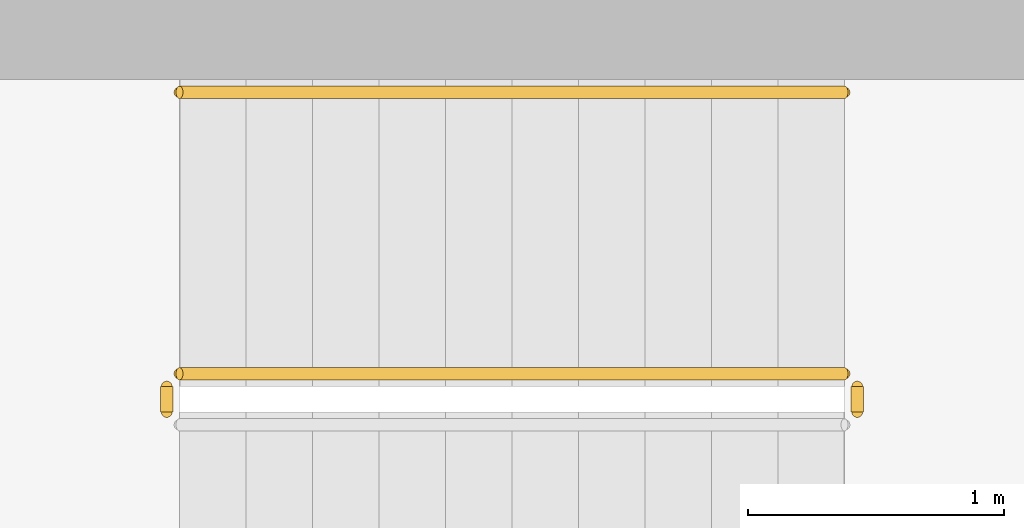
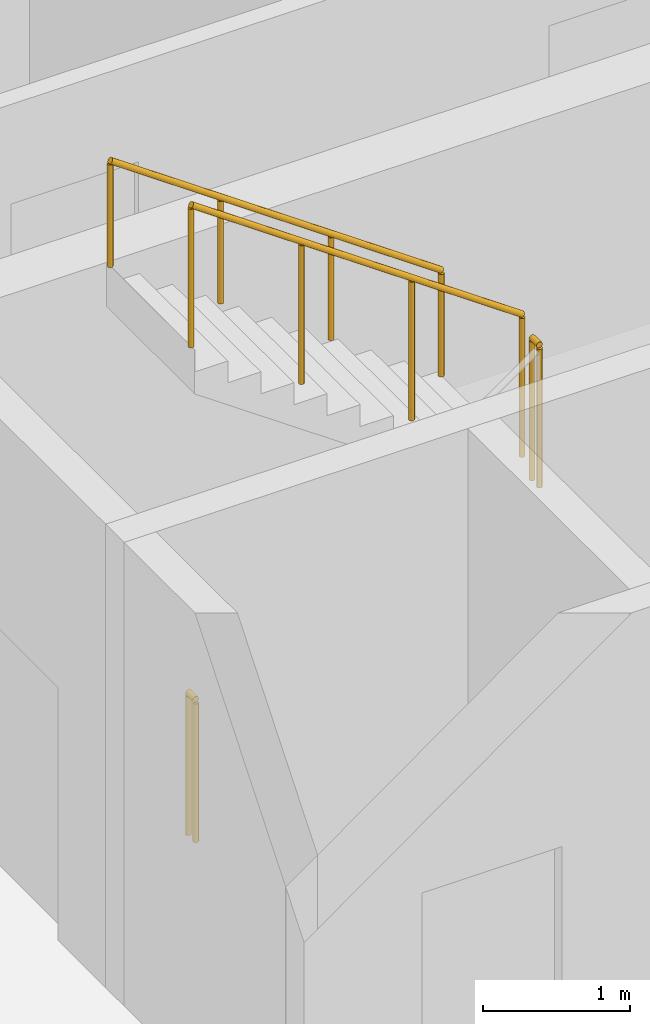
# One storey, part 17 of 21: 4 railings.
"""IFC4 building model written with IfcOpenShell, lengths in metres."""

from ifc_helpers import new_model, si_unit, direction, frame, origin, origin_2d, place, context, subcontext, project, spatial, circle, extrude, material, type_object, element, save


model = new_model("IFC4")

# Units and contexts
model_context = context("Model", 3, precision=1e-05, world=origin(), true_north=direction((0.0, 1.0)))
body_context = subcontext(model_context, "Body", "Model", "MODEL_VIEW")
ifc_project = project(units=[si_unit("LENGTHUNIT", "METRE"), si_unit("AREAUNIT", "SQUARE_METRE"), si_unit("VOLUMEUNIT", "CUBIC_METRE"), si_unit("PLANEANGLEUNIT", "RADIAN"), si_unit("MASSUNIT", "GRAM", prefix="KILO")], contexts=[model_context])

# Site, building, storey
site_placement = place(None, origin())
site = spatial("IfcSite", under=ifc_project, at=site_placement, CompositionType="ELEMENT")
building_placement = place(site_placement, origin())
building = spatial("IfcBuilding", under=site, at=building_placement, Name="Sahrelin Media Tower", CompositionType="ELEMENT")
storey_placement = place(building_placement, frame((0.0, 0.0, 263.0)))
storey = spatial("IfcBuildingStorey", under=building, at=storey_placement, Name="L57", CompositionType="ELEMENT", Elevation=263.0)

# Railings
ifc_material = material(Name="Steel S355", Category="steel")
railing_type_1 = type_object("IfcRailingType", Name="Stair guard 1200", PredefinedType="GUARDRAIL", material=ifc_material)
railing_1_placement = place(storey_placement, frame((-5.02490234375, 5.300048828125, 2.0)))
element("IfcRailing", 1, at=railing_1_placement, inside=storey, type_object=railing_type_1, Name="L57 ST1 stair guard 2", PredefinedType="GUARDRAIL", context=body_context, shape_type="SweptSolid", body=[
    extrude(circle(Radius=0.02392578125, at=origin_2d()), frame((0.0, 0.0, 1.17578125), z_axis=(0.0, 1.0, 0.0), x_axis=(-1.0, 0.0, 0.0)), (0.0, 0.0, 1.0), 0.099853515625),
    extrude(circle(Radius=0.02099609375, at=origin_2d()), origin(), (0.0, 0.0, 1.0), 1.15185546875),
    extrude(circle(Radius=0.02099609375, at=origin_2d()), frame((0.0, 0.099853515625, 0.0)), (0.0, 0.0, 1.0), 1.15185546875),
])
railing_2_placement = place(storey_placement, frame((-5.074951171875, 5.449951171875, 2.181884765625)))
element("IfcRailing", 2, at=railing_2_placement, inside=storey, type_object=railing_type_1, Name="L57 ST1 stair guard 3", PredefinedType="GUARDRAIL", context=body_context, shape_type="SweptSolid", body=[
    extrude(circle(Radius=0.02392578125, at=origin_2d()), frame((0.0, 0.0, 1.17578125), z_axis=(-0.819521025635, 0.0, 0.573049115296), x_axis=(0.0, -1.0, 0.0)), (0.0, 0.0, 1.0), 3.172607421875),
    extrude(circle(Radius=0.02099609375, at=origin_2d()), origin(), (0.0, 0.0, 1.0), 1.15185546875),
    extrude(circle(Radius=0.02099609375, at=origin_2d()), frame((-0.86669921875, 0.0, 0.60595703125)), (0.0, 0.0, 1.0), 1.15185546875),
    extrude(circle(Radius=0.02099609375, at=origin_2d()), frame((-1.7333984375, 0.0, 1.212158203125)), (0.0, 0.0, 1.0), 1.15185546875),
    extrude(circle(Radius=0.02099609375, at=origin_2d()), frame((-2.60009765625, 0.0, 1.818115234375)), (0.0, 0.0, 1.0), 1.15185546875),
])
railing_3_placement = place(storey_placement, frame((-7.72509765625, 5.300048828125, 0.0)))
element("IfcRailing", 3, at=railing_3_placement, inside=storey, type_object=railing_type_1, Name="L57 ST1 stair guard 4", PredefinedType="GUARDRAIL", context=body_context, shape_type="SweptSolid", body=[
    extrude(circle(Radius=0.02392578125, at=origin_2d()), frame((0.0, 0.0, 1.17578125), z_axis=(0.0, 1.0, 0.0), x_axis=(-1.0, 0.0, 0.0)), (0.0, 0.0, 1.0), 0.099853515625),
    extrude(circle(Radius=0.02099609375, at=origin_2d()), origin(), (0.0, 0.0, 1.0), 1.15185546875),
    extrude(circle(Radius=0.02099609375, at=origin_2d()), frame((0.0, 0.099853515625, 0.0)), (0.0, 0.0, 1.0), 1.15185546875),
])
railing_type_2 = type_object("IfcRailingType", Name="Stair handrail 900", PredefinedType="HANDRAIL", material=ifc_material)
railing_4_placement = place(storey_placement, frame((-5.074951171875, 6.550048828125, 2.181884765625)))
element("IfcRailing", 4, at=railing_4_placement, inside=storey, type_object=railing_type_2, Name="L57 ST1 stair handrail 2", PredefinedType="HANDRAIL", context=body_context, shape_type="SweptSolid", body=[
    extrude(circle(Radius=0.02392578125, at=origin_2d()), frame((0.0, 0.0, 0.8759765625), z_axis=(-0.819521025635, 0.0, 0.573049115296), x_axis=(0.0, -1.0, 0.0)), (0.0, 0.0, 1.0), 3.172607421875),
    extrude(circle(Radius=0.02099609375, at=origin_2d()), origin(), (0.0, 0.0, 1.0), 0.851806640625),
    extrude(circle(Radius=0.02099609375, at=origin_2d()), frame((-0.86669921875, 0.0, 0.60595703125)), (0.0, 0.0, 1.0), 0.851806640625),
    extrude(circle(Radius=0.02099609375, at=origin_2d()), frame((-1.7333984375, 0.0, 1.212158203125)), (0.0, 0.0, 1.0), 0.851806640625),
    extrude(circle(Radius=0.02099609375, at=origin_2d()), frame((-2.60009765625, 0.0, 1.818115234375)), (0.0, 0.0, 1.0), 0.851806640625),
])

save(model, "model.ifc")
